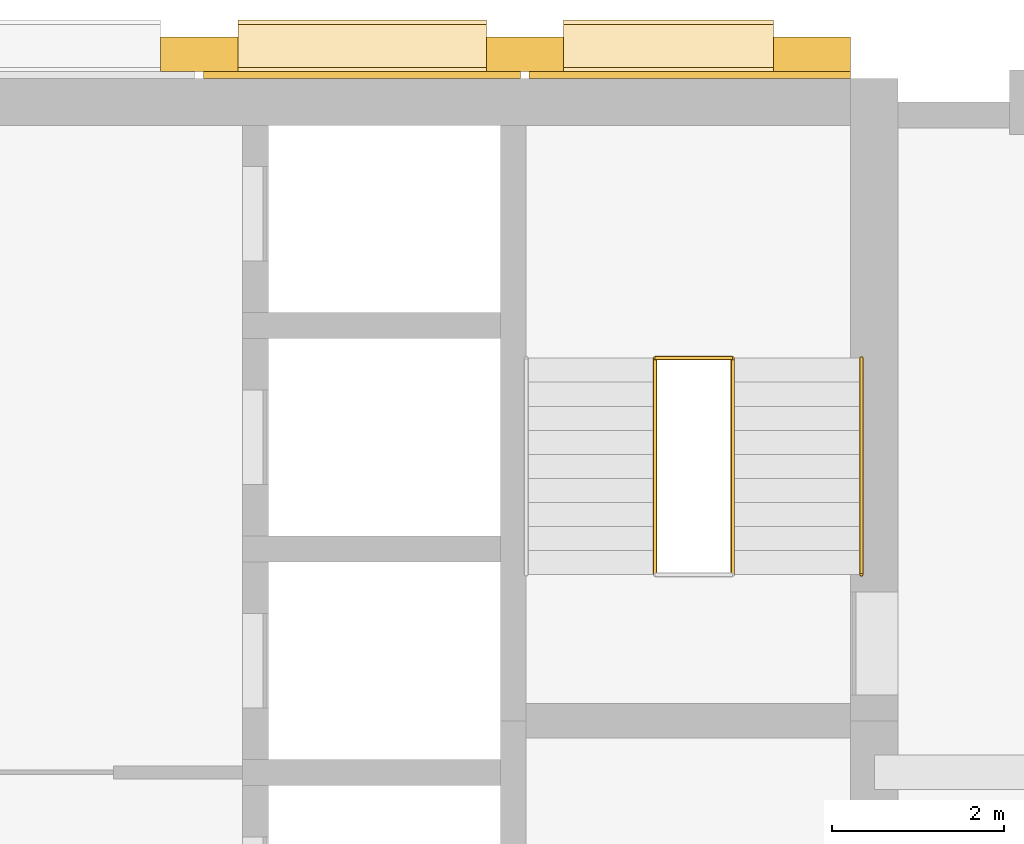
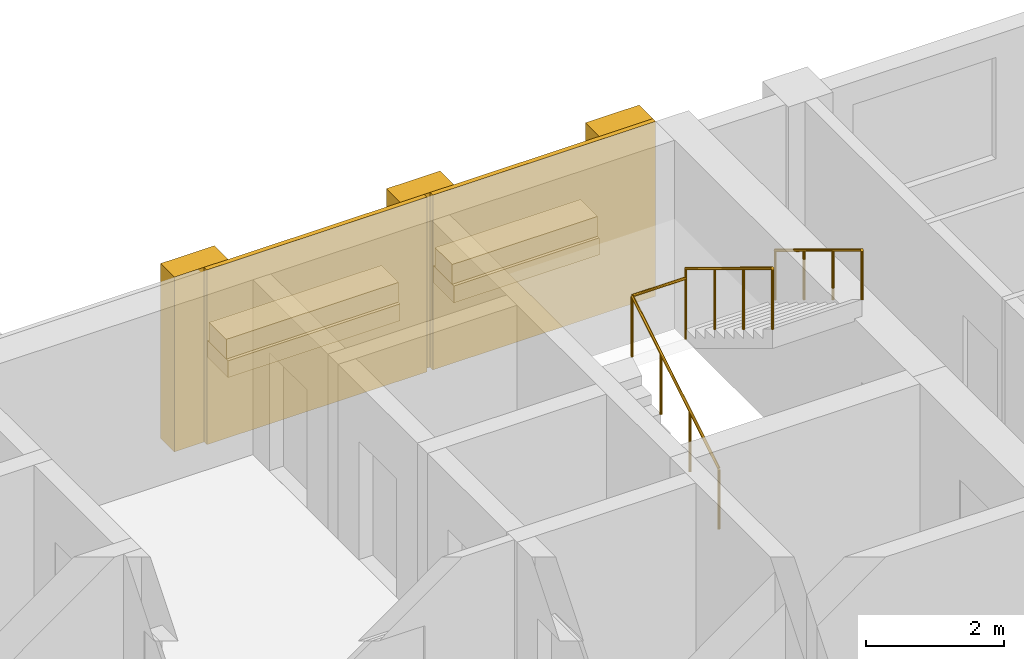
# One storey, part 13 of 13: 9 coverings, 4 railings, 1 element without a shape of its own.
"""IFC4 building model written with IfcOpenShell, lengths in metres."""

from ifc_helpers import new_model, si_unit, direction, frame, origin, origin_2d, place, context, subcontext, project, spatial, rectangle, circle, extrude, material, layer, layer_set, type_object, element, aggregate, save


model = new_model("IFC4")

# Units and contexts
model_context = context("Model", 3, precision=1e-05, world=origin(), true_north=direction((0.0, 1.0)))
body_context = subcontext(model_context, "Body", "Model", "MODEL_VIEW")
ifc_project = project(units=[si_unit("LENGTHUNIT", "METRE"), si_unit("AREAUNIT", "SQUARE_METRE"), si_unit("VOLUMEUNIT", "CUBIC_METRE"), si_unit("PLANEANGLEUNIT", "RADIAN"), si_unit("MASSUNIT", "GRAM", prefix="KILO")], contexts=[model_context])

# Site, building, storey
site_placement = place(None, origin())
site = spatial("IfcSite", under=ifc_project, at=site_placement, CompositionType="ELEMENT")
building_placement = place(site_placement, origin())
building = spatial("IfcBuilding", under=site, at=building_placement, Name="Ludao Terraces", CompositionType="ELEMENT")
storey_placement = place(building_placement, frame((0.0, 0.0, 189.39990234375)))
storey = spatial("IfcBuildingStorey", under=building, at=storey_placement, Name="L51", CompositionType="ELEMENT", Elevation=189.39990234375)

# Coverings
ifc_material_1 = material(Name="Granite cladding", Category="masonry")
ifc_layer_1 = layer(ifc_material_1, 0.39990234375)
ifc_layer_set_1 = layer_set([ifc_layer_1], Name="ENV Core pilaster stone 400")
covering_type_1 = type_object("IfcCoveringType", Name="ENV Core pilaster stone 400", PredefinedType="CLADDING", material=ifc_layer_set_1)
for number, where, z_axis, x_axis, name in (
    (1, (86.89501953125, 85.054931640625, 0.0), (0.0, 0.0, 1.0), (1.0, 0.0, 0.0), "CC-L51-PIL4"),
    (2, (90.68505859375, 85.054931640625, 0.0), (0.0, 0.0, 1.0), (1.0, 0.0, 0.0), "CC-L51-PIL5"),
    (3, (94.02490234375, 85.054931640625, 0.0), (0.0, 0.0, 1.0), (1.0, 0.0, 0.0), "CC-L51-PIL6"),
):
    element("IfcCovering", number, at=place(storey_placement, frame(where, z_axis=z_axis, x_axis=x_axis)), inside=storey, type_object=covering_type_1, Name=name, PredefinedType="CLADDING", context=body_context, shape_type="SweptSolid", body=[
        extrude(rectangle(XDim=0.89990234375, YDim=0.39990234375, at=origin_2d()), origin(), (0.0, 0.0, 1.0), 3.10009765625),
    ])
ifc_layer_2 = layer(ifc_material_1, 0.60009765625)
ifc_layer_set_2 = layer_set([ifc_layer_2], Name="ENV Core planting shelf stone 600")
covering_type_2 = type_object("IfcCoveringType", Name="ENV Core planting shelf stone 600", PredefinedType="CLADDING", material=ifc_layer_set_2)
covering_1_placement = place(storey_placement, frame((88.7900390625, 85.155029296875, 1.0), z_axis=(0.0, 0.0, 1.0), x_axis=(1.0, 0.0, 0.0)))
element("IfcCovering", 4, at=covering_1_placement, inside=storey, type_object=covering_type_2, Name="CC-L51-SHELF4", PredefinedType="CLADDING", context=body_context, shape_type="SweptSolid", body=[
    extrude(rectangle(XDim=2.889892578125, YDim=0.60009765625, at=origin_2d()), origin(), (0.0, 0.0, 1.0), 0.300048828125),
])
covering_2_placement = place(storey_placement, frame((92.35498046875, 85.155029296875, 1.0), z_axis=(0.0, 0.0, 1.0), x_axis=(1.0, 0.0, 0.0)))
element("IfcCovering", 5, at=covering_2_placement, inside=storey, type_object=covering_type_2, Name="CC-L51-SHELF5", PredefinedType="CLADDING", context=body_context, shape_type="SweptSolid", body=[
    extrude(rectangle(XDim=2.43994140625, YDim=0.60009765625, at=origin_2d()), origin(), (0.0, 0.0, 1.0), 0.300048828125),
])
ifc_layer_3 = layer(ifc_material_1, 0.080078125)
ifc_layer_set_3 = layer_set([ifc_layer_3], Name="ENV Core stone cladding panel 80")
covering_type_3 = type_object("IfcCoveringType", Name="ENV Core stone cladding panel 80", PredefinedType="CLADDING", material=ifc_layer_set_3)
covering_3_placement = place(storey_placement, frame((88.7900390625, 84.81494140625, 0.0), z_axis=(0.0, 0.0, 1.0), x_axis=(1.0, 0.0, 0.0)))
element("IfcCovering", 6, at=covering_3_placement, inside=storey, type_object=covering_type_3, Name="CC-L51-CORE4", PredefinedType="CLADDING", context=body_context, shape_type="SweptSolid", body=[
    extrude(rectangle(XDim=3.68994140625, YDim=0.080078125, at=origin_2d()), origin(), (0.0, 0.0, 1.0), 3.10009765625),
])
covering_4_placement = place(storey_placement, frame((92.60498046875, 84.81494140625, 0.0), z_axis=(0.0, 0.0, 1.0), x_axis=(1.0, 0.0, 0.0)))
element("IfcCovering", 7, at=covering_4_placement, inside=storey, type_object=covering_type_3, Name="CC-L51-CORE5", PredefinedType="CLADDING", context=body_context, shape_type="SweptSolid", body=[
    extrude(rectangle(XDim=3.739990234375, YDim=0.080078125, at=origin_2d()), origin(), (0.0, 0.0, 1.0), 3.10009765625),
])
ifc_material_2 = material(Name="Planting")
ifc_layer_4 = layer(ifc_material_2, 0.5)
ifc_layer_set_4 = layer_set([ifc_layer_4], Name="ENV Shelf planting bed 350")
covering_type_4 = type_object("IfcCoveringType", Name="ENV Shelf planting bed 350", PredefinedType="USERDEFINED", material=ifc_layer_set_4)
covering_5_placement = place(storey_placement, frame((88.7900390625, 85.155029296875, 1.300048828125), z_axis=(0.0, 0.0, 1.0), x_axis=(1.0, 0.0, 0.0)))
element("IfcCovering", 8, at=covering_5_placement, inside=storey, type_object=covering_type_4, Name="Shelf planting bed L51 4", ObjectType="PLANTING", PredefinedType="USERDEFINED", context=body_context, shape_type="SweptSolid", body=[
    extrude(rectangle(XDim=2.889892578125, YDim=0.5, at=origin_2d()), origin(), (0.0, 0.0, 1.0), 0.35009765625),
])
covering_6_placement = place(storey_placement, frame((92.35498046875, 85.155029296875, 1.300048828125), z_axis=(0.0, 0.0, 1.0), x_axis=(1.0, 0.0, 0.0)))
element("IfcCovering", 9, at=covering_6_placement, inside=storey, type_object=covering_type_4, Name="Shelf planting bed L51 5", ObjectType="PLANTING", PredefinedType="USERDEFINED", context=body_context, shape_type="SweptSolid", body=[
    extrude(rectangle(XDim=2.43994140625, YDim=0.5, at=origin_2d()), origin(), (0.0, 0.0, 1.0), 0.35009765625),
])

# Stair, railings
ifc_material_3 = material(Name="Concrete C40", Category="concrete")
stair_type = type_object("IfcStairType", Name="INT Stair", PredefinedType="HALF_TURN_STAIR", material=ifc_material_3)
stair_placement = place(storey_placement, origin())
stair = element("IfcStair", 10, at=stair_placement, inside=storey, type_object=stair_type, Name="EXIT STAIR 2", PredefinedType="HALF_TURN_STAIR")
ifc_material_4 = material(Name="Stainless steel 304", Category="steel")
railing_type_1 = type_object("IfcRailingType", Name="INT Stair guard 1100", PredefinedType="GUARDRAIL", material=ifc_material_4)
railing_1_placement = place(storey_placement, frame((92.199951171875, 79.0, 0.170166015625)))
railing_1 = element("IfcRailing", 11, at=railing_1_placement, type_object=railing_type_1, Name="ST-L51-S2-R1G", PredefinedType="GUARDRAIL", context=body_context, shape_type="SweptSolid", body=[
    extrude(circle(Radius=0.02392578125, at=origin_2d()), frame((0.0, 0.0, 1.076171875), z_axis=(0.0, 0.85478489116, 0.518982456201), x_axis=(-1.0, 0.0, 0.0)), (0.0, 0.0, 1.0), 2.9482421875),
    extrude(circle(Radius=0.02099609375, at=origin_2d()), origin(), (0.0, 0.0, 1.0), 1.052001953125),
    extrude(circle(Radius=0.02099609375, at=origin_2d()), frame((0.0, 0.840087890625, 0.510009765625)), (0.0, 0.0, 1.0), 1.052001953125),
    extrude(circle(Radius=0.02099609375, at=origin_2d()), frame((0.0, 1.679931640625, 1.02001953125)), (0.0, 0.0, 1.0), 1.052001953125),
    extrude(circle(Radius=0.02099609375, at=origin_2d()), frame((0.0, 2.52001953125, 1.530029296875)), (0.0, 0.0, 1.0), 1.052001953125),
])
railing_2_placement = place(storey_placement, frame((93.10009765625, 81.52001953125, 1.8701171875)))
railing_2 = element("IfcRailing", 12, at=railing_2_placement, type_object=railing_type_1, Name="ST-L51-S2-R2G", PredefinedType="GUARDRAIL", context=body_context, shape_type="SweptSolid", body=[
    extrude(circle(Radius=0.02392578125, at=origin_2d()), frame((0.0, 0.0, 1.076171875), z_axis=(0.0, -0.85478489116, 0.518982456201), x_axis=(1.0, 0.0, 0.0)), (0.0, 0.0, 1.0), 2.9482421875),
    extrude(circle(Radius=0.02099609375, at=origin_2d()), origin(), (0.0, 0.0, 1.0), 1.052001953125),
    extrude(circle(Radius=0.02099609375, at=origin_2d()), frame((0.0, -0.840087890625, 0.510009765625)), (0.0, 0.0, 1.0), 1.052001953125),
    extrude(circle(Radius=0.02099609375, at=origin_2d()), frame((0.0, -1.679931640625, 1.02001953125)), (0.0, 0.0, 1.0), 1.052001953125),
    extrude(circle(Radius=0.02099609375, at=origin_2d()), frame((0.0, -2.52001953125, 1.530029296875)), (0.0, 0.0, 1.0), 1.052001953125),
])
railing_3_placement = place(storey_placement, frame((92.199951171875, 81.52001953125, 1.7001953125)))
railing_3 = element("IfcRailing", 13, at=railing_3_placement, type_object=railing_type_1, Name="ST-L51-S2-E1G", PredefinedType="GUARDRAIL", context=body_context, shape_type="SweptSolid", body=[
    extrude(circle(Radius=0.02392578125, at=origin_2d()), frame((0.0, 0.0, 1.076171875), z_axis=(1.0, 0.0, 0.0), x_axis=(0.0, 1.0, 0.0)), (0.0, 0.0, 1.0), 0.900146484375),
    extrude(circle(Radius=0.02099609375, at=origin_2d()), origin(), (0.0, 0.0, 1.0), 1.052001953125),
    extrude(circle(Radius=0.02099609375, at=origin_2d()), frame((0.900146484375, 0.0, 0.0)), (0.0, 0.0, 1.0), 1.052001953125),
])
railing_type_2 = type_object("IfcRailingType", Name="INT Stair handrail 900", PredefinedType="HANDRAIL", material=ifc_material_4)
railing_4_placement = place(storey_placement, frame((94.60009765625, 81.52001953125, 1.8701171875)))
railing_4 = element("IfcRailing", 14, at=railing_4_placement, type_object=railing_type_2, Name="ST-L51-S2-R2H", PredefinedType="HANDRAIL", context=body_context, shape_type="SweptSolid", body=[
    extrude(circle(Radius=0.02392578125, at=origin_2d()), frame((0.0, 0.0, 0.8759765625), z_axis=(0.0, -0.85478489116, 0.518982456201), x_axis=(1.0, 0.0, 0.0)), (0.0, 0.0, 1.0), 2.9482421875),
    extrude(circle(Radius=0.02099609375, at=origin_2d()), origin(), (0.0, 0.0, 1.0), 0.851806640625),
    extrude(circle(Radius=0.02099609375, at=origin_2d()), frame((0.0, -0.840087890625, 0.510009765625)), (0.0, 0.0, 1.0), 0.851806640625),
    extrude(circle(Radius=0.02099609375, at=origin_2d()), frame((0.0, -1.679931640625, 1.02001953125)), (0.0, 0.0, 1.0), 0.851806640625),
    extrude(circle(Radius=0.02099609375, at=origin_2d()), frame((0.0, -2.52001953125, 1.530029296875)), (0.0, 0.0, 1.0), 0.851806640625),
])
aggregate(stair, [railing_1, railing_2, railing_4, railing_3])

save(model, "model.ifc")
